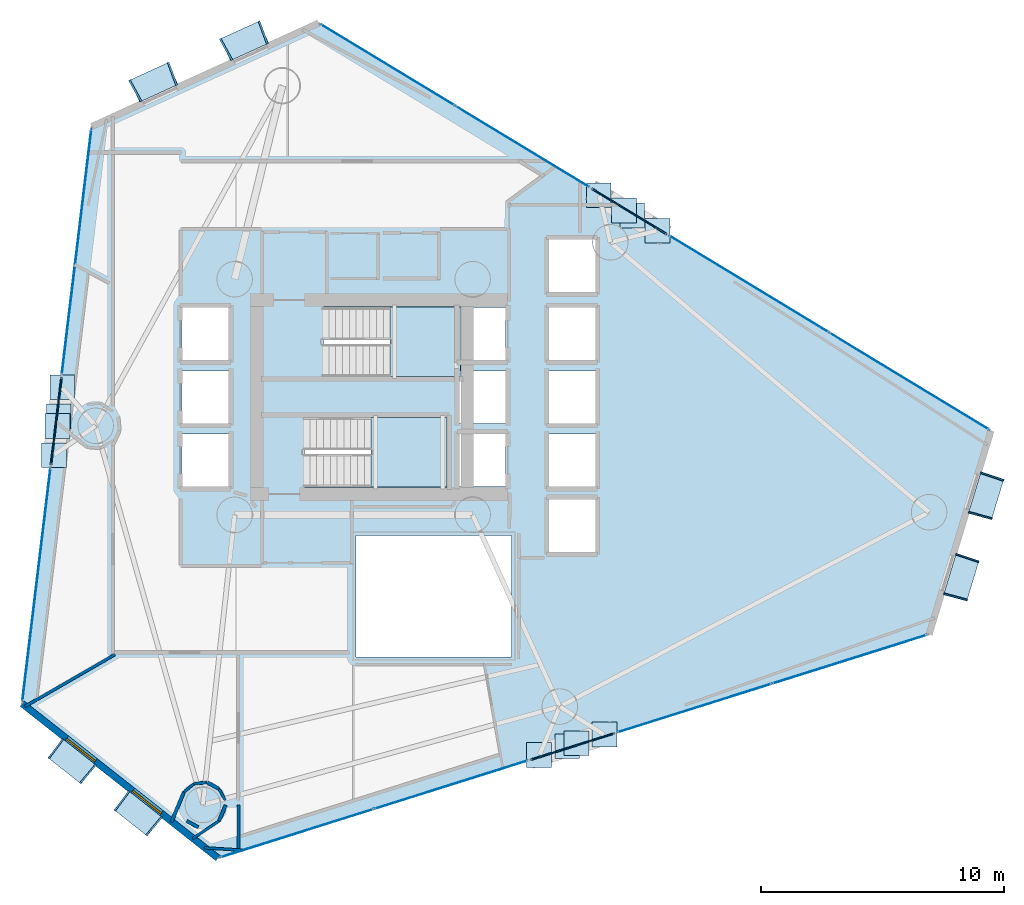
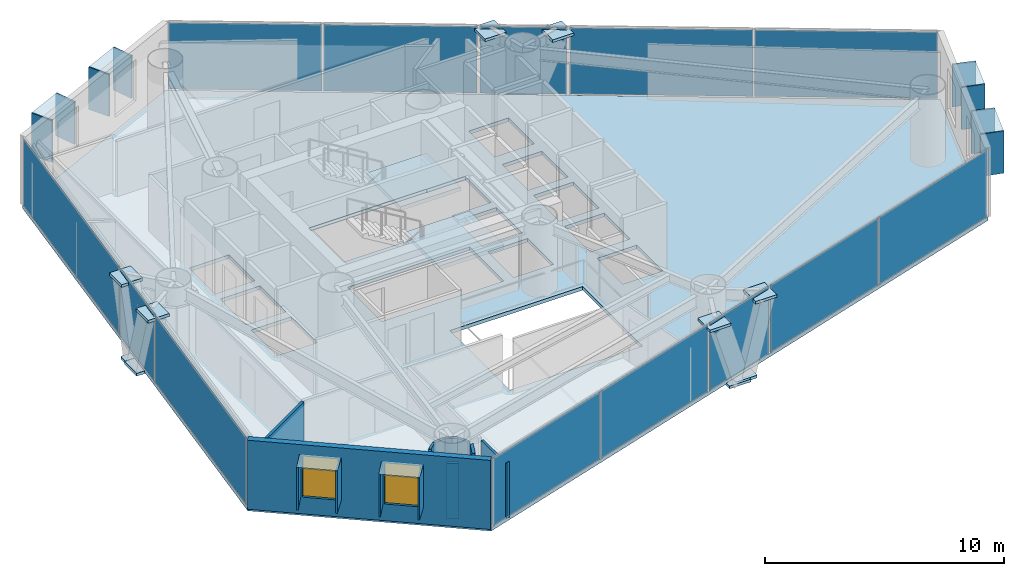
# One storey, part 13 of 18: 43 plates, 12 walls, 3 slabs, 2 windows, 2 openings, 11 elements without a shape of their own.
"""IFC4 building model written with IfcOpenShell, lengths in metres."""

from ifc_helpers import new_model, si_unit, direction, frame, frame_2d, origin, origin_2d, place, context, subcontext, project, spatial, polyline, rectangle, outline, extrude, material, layer, layer_set, type_object, element, fill, aggregate, save


model = new_model("IFC4")

# Units and contexts
model_context = context("Model", 3, precision=1e-05, world=origin(), true_north=direction((0.0, 1.0)))
body_context = subcontext(model_context, "Body", "Model", "MODEL_VIEW")
ifc_project = project(units=[si_unit("LENGTHUNIT", "METRE"), si_unit("AREAUNIT", "SQUARE_METRE"), si_unit("VOLUMEUNIT", "CUBIC_METRE"), si_unit("PLANEANGLEUNIT", "RADIAN"), si_unit("MASSUNIT", "GRAM", prefix="KILO")], contexts=[model_context])

# Site, building, storey
site_placement = place(None, origin())
site = spatial("IfcSite", under=ifc_project, at=site_placement, CompositionType="ELEMENT")
building_placement = place(site_placement, origin())
building = spatial("IfcBuilding", under=site, at=building_placement, Name="Qianvela Tower", CompositionType="ELEMENT")
storey_placement = place(building_placement, frame((0.0, 0.0, 116.300048828125)))
storey = spatial("IfcBuildingStorey", under=building, at=storey_placement, Name="L29", CompositionType="ELEMENT", Elevation=116.300048828125)

# Curtain wall, plate
ifc_material_1 = material(Name="Anodised Architectural Aluminium and Insulated Spandrel Panel", Category="aluminium")
ifc_layer_1 = layer(ifc_material_1, 0.179931640625)
ifc_layer_set_1 = layer_set([ifc_layer_1], Name="Anodised Architectural Aluminium and Insulated Spandrel Panel")
curtain_wall_type_1 = type_object("IfcCurtainWallType", Name="CW-BRACEBAY", PredefinedType="USERDEFINED", material=ifc_layer_set_1)
curtain_wall_1_placement = place(storey_placement, origin())
curtain_wall_1 = element("IfcCurtainWall", 1, at=curtain_wall_1_placement, inside=storey, type_object=curtain_wall_type_1, Name="L29 CW-BRACEBAY Curtain Wall 02B", ObjectType="CURTAIN_WALL_SYSTEM", PredefinedType="USERDEFINED")
ifc_material_2 = material(Name="Insulated Aluminium Spandrel Panel with Mineral-Wool Backpan", Category="aluminium")
ifc_layer_2 = layer(ifc_material_2, 0.06005859375)
ifc_layer_set_2 = layer_set([ifc_layer_2], Name="Insulated Aluminium Spandrel Panel with Mineral-Wool Backpan")
plate_type_1 = type_object("IfcPlateType", Name="CW-BRACEBAY-PNL", PredefinedType="CURTAIN_PANEL", material=ifc_layer_set_2)
plate_1_placement = place(storey_placement, frame((44.84716796875, 36.34375, 0.06494140625), z_axis=(0.0, 0.0, 1.0), x_axis=(-0.855059902217, 0.518529231212, 0.0)))
plate_1 = element("IfcPlate", 2, at=plate_1_placement, type_object=plate_type_1, Name="CW-9 panel 1.1", PredefinedType="CURTAIN_PANEL", context=body_context, shape_type="SweptSolid", body=[
    extrude(rectangle(XDim=3.6201171875, YDim=0.06005859375, at=origin_2d()), origin(), (0.0, 0.0, 1.0), 3.389892578125),
])
aggregate(curtain_wall_1, [plate_1])

curtain_wall_2_placement = place(storey_placement, origin())
curtain_wall_2 = element("IfcCurtainWall", 3, at=curtain_wall_2_placement, inside=storey, type_object=curtain_wall_type_1, Name="L29 CW-BRACEBAY Curtain Wall 04B", ObjectType="CURTAIN_WALL_SYSTEM", PredefinedType="USERDEFINED")
plate_2_placement = place(storey_placement, frame((21.254150390625, 27.710205078125, 0.06494140625), z_axis=(0.0, 0.0, 1.0), x_axis=(-0.119786625614, -0.992799659712, 0.0)))
plate_2 = element("IfcPlate", 4, at=plate_2_placement, type_object=plate_type_1, Name="CW-9 panel 1.1", PredefinedType="CURTAIN_PANEL", context=body_context, shape_type="SweptSolid", body=[
    extrude(rectangle(XDim=3.6201171875, YDim=0.06005859375, at=origin_2d()), origin(), (0.0, 0.0, 1.0), 3.389892578125),
])
aggregate(curtain_wall_2, [plate_2])

curtain_wall_3_placement = place(storey_placement, origin())
curtain_wall_3 = element("IfcCurtainWall", 5, at=curtain_wall_3_placement, inside=storey, type_object=curtain_wall_type_1, Name="L29 CW-BRACEBAY Curtain Wall 06B", ObjectType="CURTAIN_WALL_SYSTEM", PredefinedType="USERDEFINED")
plate_3_placement = place(storey_placement, frame((42.502685546875, 14.308349609375, 0.06494140625), z_axis=(0.0, 0.0, 1.0), x_axis=(0.95386155599, 0.300246785169, 0.0)))
plate_3 = element("IfcPlate", 6, at=plate_3_placement, type_object=plate_type_1, Name="CW-9 panel 1.1", PredefinedType="CURTAIN_PANEL", context=body_context, shape_type="SweptSolid", body=[
    extrude(rectangle(XDim=3.619873046875, YDim=0.06005859375, at=origin_2d()), origin(), (0.0, 0.0, 1.0), 3.389892578125),
])
aggregate(curtain_wall_3, [plate_3])

# Curtain wall, plates
ifc_material_3 = material(Name="Anodised Architectural Aluminium and Low-E Glass", Category="aluminium")
ifc_layer_3 = layer(ifc_material_3, 0.169921875)
ifc_layer_set_3 = layer_set([ifc_layer_3], Name="Anodised Architectural Aluminium and Low-E Glass")
curtain_wall_type_2 = type_object("IfcCurtainWallType", Name="CW-COLIV-Z34", PredefinedType="USERDEFINED", material=ifc_layer_set_3)
curtain_wall_4_placement = place(storey_placement, origin())
curtain_wall_4 = element("IfcCurtainWall", 7, at=curtain_wall_4_placement, inside=storey, type_object=curtain_wall_type_2, Name="L29 CW-COLIV-Z34 Curtain Wall 02A", ObjectType="CURTAIN_WALL_SYSTEM", PredefinedType="USERDEFINED")
ifc_material_4 = material(Name="Double-Silver Low-E Insulated Glass", Category="glass")
ifc_layer_4 = layer(ifc_material_4, 0.028076171875)
ifc_layer_set_4 = layer_set([ifc_layer_4], Name="Double-Silver Low-E Insulated Glass")
plate_type_2 = type_object("IfcPlateType", Name="CW-COLIV-Z34-PNL", PredefinedType="CURTAIN_PANEL", material=ifc_layer_set_4)
plate_4_placement = place(storey_placement, frame((56.370361328125, 29.35595703125, 0.06494140625), z_axis=(0.0, 0.0, 1.0), x_axis=(-0.855063657636, 0.518523038437, 0.0)))
plate_4 = element("IfcPlate", 8, at=plate_4_placement, type_object=plate_type_2, Name="CW-4 panel 1.1", PredefinedType="CURTAIN_PANEL", context=body_context, shape_type="SweptSolid", body=[
    extrude(rectangle(XDim=7.6474609375, YDim=0.028076171875, at=origin_2d()), origin(), (0.0, 0.0, 1.0), 3.389892578125),
])
plate_5_placement = place(storey_placement, frame((49.775634765625, 33.35498046875, 0.06494140625), z_axis=(0.0, 0.0, 1.0), x_axis=(-0.855063657636, 0.518523038437, 0.0)))
plate_5 = element("IfcPlate", 9, at=plate_5_placement, type_object=plate_type_2, Name="CW-4 panel 2.1", PredefinedType="CURTAIN_PANEL", context=body_context, shape_type="SweptSolid", body=[
    extrude(rectangle(XDim=7.6474609375, YDim=0.028076171875, at=origin_2d()), origin(), (0.0, 0.0, 1.0), 3.389892578125),
])
aggregate(curtain_wall_4, [plate_4, plate_5])

curtain_wall_5_placement = place(storey_placement, origin())
curtain_wall_5 = element("IfcCurtainWall", 10, at=curtain_wall_5_placement, inside=storey, type_object=curtain_wall_type_2, Name="L29 CW-COLIV-Z34 Curtain Wall 02C", ObjectType="CURTAIN_WALL_SYSTEM", PredefinedType="USERDEFINED")
plate_6_placement = place(storey_placement, frame((40.4453125, 39.01318359375, 0.06494140625), z_axis=(0.0, 0.0, 1.0), x_axis=(-0.855064798957, 0.518521156351, 0.0)))
plate_6 = element("IfcPlate", 11, at=plate_6_placement, type_object=plate_type_2, Name="CW-4 panel 1.1", PredefinedType="CURTAIN_PANEL", context=body_context, shape_type="SweptSolid", body=[
    extrude(rectangle(XDim=6.416259765625, YDim=0.028076171875, at=origin_2d()), origin(), (0.0, 0.0, 1.0), 3.389892578125),
])
plate_7_placement = place(storey_placement, frame((34.9033203125, 42.373779296875, 0.06494140625), z_axis=(0.0, 0.0, 1.0), x_axis=(-0.855064798957, 0.518521156351, 0.0)))
plate_7 = element("IfcPlate", 12, at=plate_7_placement, type_object=plate_type_2, Name="CW-4 panel 2.1", PredefinedType="CURTAIN_PANEL", context=body_context, shape_type="SweptSolid", body=[
    extrude(rectangle(XDim=6.416259765625, YDim=0.028076171875, at=origin_2d()), origin(), (0.0, 0.0, 1.0), 3.389892578125),
])
aggregate(curtain_wall_5, [plate_6, plate_7])

# Curtain wall, plate
curtain_wall_6_placement = place(storey_placement, origin())
curtain_wall_6 = element("IfcCurtainWall", 13, at=curtain_wall_6_placement, inside=storey, type_object=curtain_wall_type_2, Name="L29 CW-COLIV-Z34 Curtain Wall 04A", ObjectType="CURTAIN_WALL_SYSTEM", PredefinedType="USERDEFINED")
plate_8_placement = place(storey_placement, frame((22.09521484375, 34.6796875, 0.06494140625), z_axis=(0.0, 0.0, 1.0), x_axis=(-0.119786304516, -0.992799698454, 0.0)))
plate_8 = element("IfcPlate", 14, at=plate_8_placement, type_object=plate_type_2, Name="CW-4 panel 1.1", PredefinedType="CURTAIN_PANEL", context=body_context, shape_type="SweptSolid", body=[
    extrude(rectangle(XDim=10.159912109375, YDim=0.028076171875, at=origin_2d()), origin(), (0.0, 0.0, 1.0), 3.389892578125),
])
aggregate(curtain_wall_6, [plate_8])

curtain_wall_7_placement = place(storey_placement, origin())
curtain_wall_7 = element("IfcCurtainWall", 15, at=curtain_wall_7_placement, inside=storey, type_object=curtain_wall_type_2, Name="L29 CW-COLIV-Z34 Curtain Wall 04C", ObjectType="CURTAIN_WALL_SYSTEM", PredefinedType="USERDEFINED")
plate_9_placement = place(storey_placement, frame((20.443115234375, 20.987060546875, 0.06494140625), z_axis=(0.0, 0.0, 1.0), x_axis=(-0.119792223509, -0.99279898428, 0.0)))
plate_9 = element("IfcPlate", 16, at=plate_9_placement, type_object=plate_type_2, Name="CW-4 panel 1.1", PredefinedType="CURTAIN_PANEL", context=body_context, shape_type="SweptSolid", body=[
    extrude(rectangle(XDim=9.66357421875, YDim=0.028076171875, at=origin_2d()), origin(), (0.0, 0.0, 1.0), 3.389892578125),
])
aggregate(curtain_wall_7, [plate_9])

# Curtain wall, plates
curtain_wall_8_placement = place(storey_placement, origin())
curtain_wall_8 = element("IfcCurtainWall", 17, at=curtain_wall_8_placement, inside=storey, type_object=curtain_wall_type_2, Name="L29 CW-COLIV-Z34 Curtain Wall 06A", ObjectType="CURTAIN_WALL_SYSTEM", PredefinedType="USERDEFINED")
plate_10_placement = place(storey_placement, frame((31.1650390625, 10.739501953125, 0.06494140625), z_axis=(0.0, 0.0, 1.0), x_axis=(0.953857065878, 0.300261049546, 0.0)))
plate_10 = element("IfcPlate", 18, at=plate_10_placement, type_object=plate_type_2, Name="CW-4 panel 1.1", PredefinedType="CURTAIN_PANEL", context=body_context, shape_type="SweptSolid", body=[
    extrude(rectangle(XDim=6.58740234375, YDim=0.028076171875, at=origin_2d()), origin(), (0.0, 0.0, 1.0), 3.389892578125),
])
plate_11_placement = place(storey_placement, frame((37.510498046875, 12.73681640625, 0.06494140625), z_axis=(0.0, 0.0, 1.0), x_axis=(0.953857065878, 0.300261049546, 0.0)))
plate_11 = element("IfcPlate", 19, at=plate_11_placement, type_object=plate_type_2, Name="CW-4 panel 2.1", PredefinedType="CURTAIN_PANEL", context=body_context, shape_type="SweptSolid", body=[
    extrude(rectangle(XDim=6.58740234375, YDim=0.028076171875, at=origin_2d()), origin(), (0.0, 0.0, 1.0), 3.389892578125),
])
aggregate(curtain_wall_8, [plate_10, plate_11])

curtain_wall_9_placement = place(storey_placement, origin())
curtain_wall_9 = element("IfcCurtainWall", 20, at=curtain_wall_9_placement, inside=storey, type_object=curtain_wall_type_2, Name="L29 CW-COLIV-Z34 Curtain Wall 06C", ObjectType="CURTAIN_WALL_SYSTEM", PredefinedType="USERDEFINED")
plate_12_placement = place(storey_placement, frame((47.519775390625, 15.8876953125, 0.06494140625), z_axis=(0.0, 0.0, 1.0), x_axis=(0.953856966255, 0.300261366024, 0.0)))
plate_12 = element("IfcPlate", 21, at=plate_12_placement, type_object=plate_type_2, Name="CW-4 panel 1.1", PredefinedType="CURTAIN_PANEL", context=body_context, shape_type="SweptSolid", body=[
    extrude(rectangle(XDim=6.639404296875, YDim=0.028076171875, at=origin_2d()), origin(), (0.0, 0.0, 1.0), 3.389892578125),
])
plate_13_placement = place(storey_placement, frame((53.914794921875, 17.900634765625, 0.06494140625), z_axis=(0.0, 0.0, 1.0), x_axis=(0.953856966255, 0.300261366024, 0.0)))
plate_13 = element("IfcPlate", 22, at=plate_13_placement, type_object=plate_type_2, Name="CW-4 panel 2.1", PredefinedType="CURTAIN_PANEL", context=body_context, shape_type="SweptSolid", body=[
    extrude(rectangle(XDim=6.639404296875, YDim=0.028076171875, at=origin_2d()), origin(), (0.0, 0.0, 1.0), 3.389892578125),
])
aggregate(curtain_wall_9, [plate_12, plate_13])

# Plates
ifc_material_5 = material(Name="Steel Q420GJC", Category="steel")
ifc_layer_5 = layer(ifc_material_5, 0.139892578125)
ifc_layer_set_5 = layer_set([ifc_layer_5], Name="Steel Q420GJC")
plate_type_3 = type_object("IfcPlateType", Name="PT-GUSSET-NODE-140", PredefinedType="USERDEFINED", material=ifc_layer_set_5)
for number, where, z_axis, x_axis, name in (
    (23, (44.972900390625, 36.174072265625, -0.271484375), (0.0, 0.0, 1.0), (1.0, 0.0, 0.0), "L29 Node Gusset Plate A"),
    (24, (46.010498046875, 35.544677734375, 3.20947265625), (0.0, 0.0, 1.0), (1.0, 0.0, 0.0), "L29 Node Gusset Plate B"),
    (25, (44.633056640625, 36.3798828125, -0.271484375), (0.0, 0.0, 1.0), (1.0, 0.0, 0.0), "L29 Node Gusset Plate A"),
    (26, (43.59521484375, 37.009521484375, 3.20947265625), (0.0, 0.0, 1.0), (1.0, 0.0, 0.0), "L29 Node Gusset Plate B"),
    (27, (21.357666015625, 27.8994140625, -0.271484375), (0.0, 0.0, 1.0), (1.0, 0.0, 0.0), "L29 Node Gusset Plate A"),
    (28, (21.5029296875, 29.1044921875, 3.20947265625), (0.0, 0.0, 1.0), (1.0, 0.0, 0.0), "L29 Node Gusset Plate B"),
    (29, (21.31005859375, 27.505126953125, -0.271484375), (0.0, 0.0, 1.0), (1.0, 0.0, 0.0), "L29 Node Gusset Plate A"),
    (30, (21.16455078125, 26.30029296875, 3.20947265625), (0.0, 0.0, 1.0), (1.0, 0.0, 0.0), "L29 Node Gusset Plate B"),
    (31, (42.293212890625, 14.326171875, -0.271484375), (0.0, 0.0, 1.0), (1.0, 0.0, 0.0), "L29 Node Gusset Plate A"),
    (32, (41.135498046875, 13.9619140625, 3.20947265625), (0.0, 0.0, 1.0), (1.0, 0.0, 0.0), "L29 Node Gusset Plate B"),
    (33, (42.672119140625, 14.445556640625, -0.271484375), (0.0, 0.0, 1.0), (1.0, 0.0, 0.0), "L29 Node Gusset Plate A"),
    (34, (43.82958984375, 14.809814453125, 3.20947265625), (0.0, 0.0, 1.0), (1.0, 0.0, 0.0), "L29 Node Gusset Plate B"),
):
    element("IfcPlate", number, at=place(storey_placement, frame(where, z_axis=z_axis, x_axis=x_axis)), inside=storey, type_object=plate_type_3, Name=name, ObjectType="GUSSET_PLATE", PredefinedType="USERDEFINED", context=body_context, shape_type="SweptSolid", body=[
        extrude(rectangle(XDim=1.02001953125, YDim=1.02001953125, at=origin_2d()), origin(), (0.0, 0.0, 1.0), 0.139892578125),
    ])

# Slab
ifc_material_6 = material(Name="Concrete C40", Category="concrete")
ifc_layer_6 = layer(ifc_material_6, 0.179931640625)
ifc_layer_set_6 = layer_set([ifc_layer_6], Name="Concrete C40")
slab_type_1 = type_object("IfcSlabType", Name="SL-FLOOR-180", PredefinedType="FLOOR", material=ifc_layer_set_6)
slab_1_placement = place(storey_placement, frame((0.0, 0.0, -0.179931640625)))
element("IfcSlab", 35, at=slab_1_placement, inside=storey, type_object=slab_type_1, Name="L29 Composite Structural Floor Slab", PredefinedType="FLOOR", context=body_context, shape_type="SweptSolid", body=[
    extrude(outline(polyline([(57.191162109375, 18.931884765625), (59.73828125, 27.313720703125), (32.06201171875, 44.096923828125), (22.71728515625, 39.837158203125), (19.850341796875, 16.075927734375), (27.91357421875, 9.7158203125), (57.191162109375, 18.931884765625)]), holes=[polyline([(40.0, 23.0), (33.60009765625, 23.0), (33.60009765625, 18.0), (40.0, 18.0), (40.0, 23.0)]), polyline([(28.360107421875, 25.02001953125), (28.360107421875, 27.179931640625), (26.43994140625, 27.179931640625), (26.43994140625, 25.02001953125), (28.360107421875, 25.02001953125)]), polyline([(37.35009765625, 25.0), (37.35009765625, 27.860107421875), (31.469970703125, 27.860107421875), (31.469970703125, 25.0), (37.35009765625, 25.0)]), polyline([(28.360107421875, 27.6201171875), (28.360107421875, 29.780029296875), (26.43994140625, 29.780029296875), (26.43994140625, 27.6201171875), (28.360107421875, 27.6201171875)]), polyline([(37.89990234375, 32.3798828125), (37.89990234375, 32.39990234375), (32.25, 32.39990234375), (32.25, 29.5400390625), (37.840087890625, 29.5400390625), (37.840087890625, 27.6201171875), (39.760009765625, 27.6201171875), (39.760009765625, 29.780029296875), (37.89990234375, 29.780029296875), (37.89990234375, 30.219970703125), (39.760009765625, 30.219970703125), (39.760009765625, 32.3798828125), (37.89990234375, 32.3798828125)]), polyline([(28.360107421875, 30.219970703125), (28.360107421875, 32.3798828125), (26.43994140625, 32.3798828125), (26.43994140625, 30.219970703125), (28.360107421875, 30.219970703125)]), polyline([(43.4599609375, 24.47998046875), (41.5400390625, 24.47998046875), (41.5400390625, 22.320068359375), (43.4599609375, 22.320068359375), (43.4599609375, 24.47998046875)]), polyline([(39.760009765625, 25.02001953125), (39.760009765625, 27.179931640625), (37.840087890625, 27.179931640625), (37.840087890625, 25.02001953125), (39.760009765625, 25.02001953125)]), polyline([(43.4599609375, 25.02001953125), (43.4599609375, 27.179931640625), (41.5400390625, 27.179931640625), (41.5400390625, 25.02001953125), (43.4599609375, 25.02001953125)]), polyline([(43.4599609375, 27.6201171875), (43.4599609375, 29.780029296875), (41.5400390625, 29.780029296875), (41.5400390625, 27.6201171875), (43.4599609375, 27.6201171875)]), polyline([(43.4599609375, 30.219970703125), (43.4599609375, 32.3798828125), (41.5400390625, 32.3798828125), (41.5400390625, 30.219970703125), (43.4599609375, 30.219970703125)]), polyline([(43.4599609375, 33.02001953125), (43.4599609375, 35.179931640625), (41.5400390625, 35.179931640625), (41.5400390625, 33.02001953125), (43.4599609375, 33.02001953125)])]), origin(), (0.0, 0.0, 1.0), 0.179931640625),
])

# Stair, slab
ifc_material_7 = material(Name="Concrete C40", Category="concrete")
stair_type = type_object("IfcStairType", Name="ST-DOGLEG-1350-R168-N22", PredefinedType="HALF_TURN_STAIR", material=ifc_material_7)
stair_1_placement = place(storey_placement, origin())
stair_1 = element("IfcStair", 36, at=stair_1_placement, inside=storey, type_object=stair_type, Name="L29 Smoke-Proof Core Stair ST-1", PredefinedType="HALF_TURN_STAIR")
ifc_material_8 = material(Name="Concrete C40", Category="concrete")
ifc_layer_7 = layer(ifc_material_8, 0.199951171875)
ifc_layer_set_7 = layer_set([ifc_layer_7], Name="Concrete C40")
slab_type_2 = type_object("IfcSlabType", Name="SL-STAIR-LANDING-200", PredefinedType="LANDING", material=ifc_layer_set_7)
slab_2_placement = place(storey_placement, frame((0.0, 0.0, 1.64990234375)))
slab_2 = element("IfcSlab", 37, at=slab_2_placement, type_object=slab_type_2, Name="ST-1 landing 1", PredefinedType="LANDING", context=body_context, shape_type="SweptSolid", body=[
    extrude(outline(polyline([(35.0, 29.5400390625), (37.89990234375, 29.5400390625), (37.89990234375, 32.39990234375), (35.0, 32.39990234375), (35.0, 29.5400390625)])), origin(), (0.0, 0.0, 1.0), 0.199951171875),
])
aggregate(stair_1, [slab_2])

stair_2_placement = place(storey_placement, origin())
stair_2 = element("IfcStair", 38, at=stair_2_placement, inside=storey, type_object=stair_type, Name="L29 Smoke-Proof Core Stair ST-2", PredefinedType="HALF_TURN_STAIR")
slab_3_placement = place(storey_placement, frame((0.0, 0.0, 1.64990234375)))
slab_3 = element("IfcSlab", 39, at=slab_3_placement, type_object=slab_type_2, Name="ST-2 landing 1", PredefinedType="LANDING", context=body_context, shape_type="SweptSolid", body=[
    extrude(outline(polyline([(34.219970703125, 25.0), (37.35009765625, 25.0), (37.35009765625, 27.860107421875), (34.219970703125, 27.860107421875), (34.219970703125, 25.0)])), origin(), (0.0, 0.0, 1.0), 0.199951171875),
])
aggregate(stair_2, [slab_3])

# Plates
ifc_material_9 = material(Name="Vitrified Architectural Terracotta Panel", Category="masonry")
ifc_layer_8 = layer(ifc_material_9, 0.06494140625)
ifc_layer_set_8 = layer_set([ifc_layer_8], Name="Vitrified Architectural Terracotta Panel")
plate_type_4 = type_object("IfcPlateType", Name="TERRACOTTA-SUNSHADE-HOOD-FOLD-B", PredefinedType="USERDEFINED", material=ifc_layer_set_8)
for number, where, z_axis, x_axis, name in (
    (40, (58.5244140625, 21.2734375, 2.9599609375), (0.0, 0.0, 1.0), (0.290758971547, 0.956796331758, 0.0), "L29 Terracotta Sunshade Hood FOLD-B"),
    (41, (59.54345703125, 24.626220703125, 2.9599609375), (0.0, 0.0, 1.0), (0.290758971547, 0.956796331758, 0.0), "L29 Terracotta Sunshade Hood FOLD-B"),
    (42, (21.90087890625, 13.70068359375, 2.9599609375), (0.0, 0.0, 1.0), (0.785142935711, -0.61931459736, 0.0), "L29 Terracotta Sunshade Hood FOLD-B"),
    (43, (24.62353515625, 11.552978515625, 2.9599609375), (0.0, 0.0, 1.0), (0.785142935711, -0.61931459736, 0.0), "L29 Terracotta Sunshade Hood FOLD-B"),
):
    element("IfcPlate", number, at=place(storey_placement, frame(where, z_axis=z_axis, x_axis=x_axis)), inside=storey, type_object=plate_type_4, Name=name, ObjectType="SUNSHADE", PredefinedType="USERDEFINED", context=body_context, shape_type="SweptSolid", body=[
        extrude(rectangle(XDim=1.739990234375, YDim=0.989990234375, at=origin_2d()), origin(), (0.0, 0.0, 1.0), 0.06005859375),
    ])
ifc_material_10 = material(Name="Vitrified Architectural Terracotta Panel", Category="masonry")
ifc_layer_9 = layer(ifc_material_10, 0.074951171875)
ifc_layer_set_9 = layer_set([ifc_layer_9], Name="Vitrified Architectural Terracotta Panel")
plate_type_5 = type_object("IfcPlateType", Name="TERRACOTTA-SUNSHADE-HOOD-FOLD-D", PredefinedType="USERDEFINED", material=ifc_layer_set_9)
for number, where, z_axis, x_axis, name in (
    (44, (29.01171875, 43.3603515625, 2.9599609375), (0.0, 0.0, 1.0), (-0.909918563254, -0.414786943197, 0.0), "L29 Terracotta Sunshade Hood FOLD-D"),
    (45, (25.27392578125, 41.656494140625, 2.9599609375), (0.0, 0.0, 1.0), (-0.909918563254, -0.414786943197, 0.0), "L29 Terracotta Sunshade Hood FOLD-D"),
):
    element("IfcPlate", number, at=place(storey_placement, frame(where, z_axis=z_axis, x_axis=x_axis)), inside=storey, type_object=plate_type_5, Name=name, ObjectType="SUNSHADE", PredefinedType="USERDEFINED", context=body_context, shape_type="SweptSolid", body=[
        extrude(rectangle(XDim=1.739990234375, YDim=0.989990234375, at=origin_2d()), origin(), (0.0, 0.0, 1.0), 0.06005859375),
    ])
ifc_material_11 = material(Name="Vitrified Architectural Terracotta Side Fin Panel", Category="masonry")
ifc_layer_10 = layer(ifc_material_11, 0.070068359375)
ifc_layer_set_10 = layer_set([ifc_layer_10], Name="Vitrified Architectural Terracotta Side Fin Panel")
plate_type_6 = type_object("IfcPlateType", Name="TERRACOTTA-SUNSHADE-STRUT-FOLD-B", PredefinedType="USERDEFINED", material=ifc_layer_set_10)
for number, where, z_axis, x_axis, name in (
    (46, (58.2802734375, 20.4697265625, 0.85009765625), (0.0, 0.0, 1.0), (0.261404221482, 0.965229419874, 0.0), "L29 Terracotta Sunshade Side Fin HL FOLD-B"),
    (47, (58.768798828125, 22.0771484375, 0.85009765625), (0.0, 0.0, 1.0), (0.319842496315, 0.947470726488, 0.0), "L29 Terracotta Sunshade Side Fin HR FOLD-B"),
    (48, (59.299072265625, 23.822509765625, 0.85009765625), (0.0, 0.0, 1.0), (0.261404221482, 0.965229419874, 0.0), "L29 Terracotta Sunshade Side Fin HL FOLD-B"),
    (49, (59.78759765625, 25.429931640625, 0.85009765625), (0.0, 0.0, 1.0), (0.319842496315, 0.947470726488, 0.0), "L29 Terracotta Sunshade Side Fin HR FOLD-B"),
    (50, (21.2412109375, 14.220947265625, 0.85009765625), (0.0, 0.0, 1.0), (0.803689684864, -0.595048645443, 0.0), "L29 Terracotta Sunshade Side Fin HL FOLD-B"),
    (51, (22.560302734375, 13.1806640625, 0.85009765625), (0.0, 0.0, 1.0), (0.765863790839, -0.64300284127, 0.0), "L29 Terracotta Sunshade Side Fin HR FOLD-B"),
    (52, (23.964111328125, 12.073486328125, 0.85009765625), (0.0, 0.0, 1.0), (0.803689684864, -0.595048645443, 0.0), "L29 Terracotta Sunshade Side Fin HL FOLD-B"),
    (53, (25.283203125, 11.032958984375, 0.85009765625), (0.0, 0.0, 1.0), (0.765863790839, -0.64300284127, 0.0), "L29 Terracotta Sunshade Side Fin HR FOLD-B"),
):
    element("IfcPlate", number, at=place(storey_placement, frame(where, z_axis=z_axis, x_axis=x_axis)), inside=storey, type_object=plate_type_6, Name=name, ObjectType="SUNSHADE", PredefinedType="USERDEFINED", context=body_context, shape_type="SweptSolid", body=[
        extrude(rectangle(XDim=0.070068359375, YDim=1.010009765625, at=origin_2d()), origin(), (0.0, 0.0, 1.0), 2.159912109375),
    ])
ifc_material_12 = material(Name="Vitrified Architectural Terracotta Side Fin Panel", Category="masonry")
ifc_layer_11 = layer(ifc_material_12, 0.080078125)
ifc_layer_set_11 = layer_set([ifc_layer_11], Name="Vitrified Architectural Terracotta Side Fin Panel")
plate_type_7 = type_object("IfcPlateType", Name="TERRACOTTA-SUNSHADE-STRUT-FOLD-D", PredefinedType="USERDEFINED", material=ifc_layer_set_11)
for number, where, z_axis, x_axis, name in (
    (54, (29.776123046875, 43.708740234375, 0.85009765625), (0.0, 0.0, 1.0), (-0.938155689743, -0.346213664956, 0.0), "L29 Terracotta Sunshade Side Fin HL FOLD-D"),
    (55, (28.247314453125, 43.011962890625, 0.85009765625), (0.0, 0.0, 1.0), (-0.876677221517, -0.481079046803, 0.0), "L29 Terracotta Sunshade Side Fin HR FOLD-D"),
    (56, (26.038330078125, 42.0048828125, 0.85009765625), (0.0, 0.0, 1.0), (-0.938155689743, -0.346213664956, 0.0), "L29 Terracotta Sunshade Side Fin HL FOLD-D"),
    (57, (24.509521484375, 41.30810546875, 0.85009765625), (0.0, 0.0, 1.0), (-0.876677221517, -0.481079046803, 0.0), "L29 Terracotta Sunshade Side Fin HR FOLD-D"),
):
    element("IfcPlate", number, at=place(storey_placement, frame(where, z_axis=z_axis, x_axis=x_axis)), inside=storey, type_object=plate_type_7, Name=name, ObjectType="SUNSHADE", PredefinedType="USERDEFINED", context=body_context, shape_type="SweptSolid", body=[
        extrude(rectangle(XDim=0.080078125, YDim=1.010009765625, at=origin_2d()), origin(), (0.0, 0.0, 1.0), 2.159912109375),
    ])

# Wall, openings, windows
ifc_material_13 = material(Name="Terracotta Cladding on Concrete C40", Category="masonry")
ifc_layer_12 = layer(ifc_material_13, 0.280029296875)
ifc_layer_set_12 = layer_set([ifc_layer_12], Name="Terracotta Cladding on Concrete C40")
wall_type_1 = type_object("IfcWallType", Name="TERRACOTTA-WALL-280", PredefinedType="SOLIDWALL", material=ifc_layer_set_12)
wall_1_placement = place(storey_placement, frame((19.850341796875, 16.075927734375, 0.0), z_axis=(0.0, 0.0, 1.0), x_axis=(0.785148009035, -0.619308165543, 0.0)))
wall_1 = element("IfcWall", 58, at=wall_1_placement, inside=storey, type_object=wall_type_1, Name="L29 Terracotta Chamfer Facet Wall 5", PredefinedType="SOLIDWALL", context=body_context, shape_type="SweptSolid", body=[
    extrude(rectangle(XDim=10.269775390625, YDim=0.280029296875, at=frame_2d((5.134765625, 0.0))), origin(), (0.0, 0.0, 1.0), 3.52001953125),
])
opening_1_placement = place(wall_1_placement, frame((2.330810546875, 0.0, 0.85009765625)))
opening_1 = element("IfcOpeningElement", 59, at=opening_1_placement, cuts=wall_1, Name="Opening W-02", PredefinedType="OPENING", context=body_context, shape_type="SweptSolid", body=[
    extrude(rectangle(XDim=1.5, YDim=2.10009765625, at=frame_2d((0.75, 1.050048828125))), frame((0.0, 0.14990234375, 0.0), z_axis=(0.0, -1.0, 0.0), x_axis=(1.0, 0.0, 0.0)), (0.0, 0.0, 1.0), 0.300048828125),
])
opening_2_placement = place(wall_1_placement, frame((5.798583984375, 0.0, 0.85009765625)))
opening_2 = element("IfcOpeningElement", 60, at=opening_2_placement, cuts=wall_1, Name="Opening W-02", PredefinedType="OPENING", context=body_context, shape_type="SweptSolid", body=[
    extrude(rectangle(XDim=1.5, YDim=2.10009765625, at=frame_2d((0.75, 1.050048828125))), frame((0.0, 0.14990234375, 0.0), z_axis=(0.0, -1.0, 0.0), x_axis=(1.0, 0.0, 0.0)), (0.0, 0.0, 1.0), 0.300048828125),
])
ifc_material_14 = material(Name="Thermally Broken Aluminium and Low-E Glass", Category="aluminium")
window_type = type_object("IfcWindowType", Name="WIN-TC-1500x2100", PartitioningType="DOUBLE_PANEL_VERTICAL", PredefinedType="WINDOW", material=ifc_material_14)
window_1_placement = place(opening_1_placement, origin())
window_1 = element("IfcWindow", 61, at=window_1_placement, inside=storey, type_object=window_type, Name="L29 Chamfer Facet Window 5.1", OverallHeight=2.10009765625, OverallWidth=1.5, PartitioningType="SINGLE_PANEL", PredefinedType="WINDOW", context=body_context, shape_type="SweptSolid", body=[
    extrude(rectangle(XDim=1.5, YDim=2.10009765625, at=frame_2d((0.75, 1.050048828125))), frame((0.0, 0.030029296875, 0.0), z_axis=(0.0, -1.0, 0.0), x_axis=(1.0, 0.0, 0.0)), (0.0, 0.0, 1.0), 0.06005859375),
])
fill(opening_1, window_1)
window_2_placement = place(opening_2_placement, origin())
window_2 = element("IfcWindow", 62, at=window_2_placement, inside=storey, type_object=window_type, Name="L29 Chamfer Facet Window 5.2", OverallHeight=2.10009765625, OverallWidth=1.5, PartitioningType="SINGLE_PANEL", PredefinedType="WINDOW", context=body_context, shape_type="SweptSolid", body=[
    extrude(rectangle(XDim=1.5, YDim=2.10009765625, at=frame_2d((0.75, 1.050048828125))), frame((0.0, 0.030029296875, 0.0), z_axis=(0.0, -1.0, 0.0), x_axis=(1.0, 0.0, 0.0)), (0.0, 0.0, 1.0), 0.06005859375),
])
fill(opening_2, window_2)

# Walls
ifc_material_15 = material(Name="Lightweight Gypsum Room Partition")
ifc_layer_13 = layer(ifc_material_15, 0.10498046875)
ifc_layer_set_13 = layer_set([ifc_layer_13], Name="Lightweight Gypsum Room Partition")
wall_type_2 = type_object("IfcWallType", Name="WT-PART-105", PredefinedType="PARTITIONING", material=ifc_layer_set_13)
wall_2_placement = place(storey_placement, frame((28.210693359375, 12.1044921875, 0.0), z_axis=(0.0, 0.0, 1.0), x_axis=(-0.472156867062, 0.881514544909, 0.0)))
element("IfcWall", 63, at=wall_2_placement, inside=storey, type_object=wall_type_2, Name="L29 Partition 68", PredefinedType="PARTITIONING", context=body_context, shape_type="SweptSolid", body=[
    extrude(rectangle(XDim=0.52490234375, YDim=0.10498046875, at=frame_2d((0.262451171875, 0.0))), origin(), (0.0, 0.0, 1.0), 2.83984375),
])
wall_3_placement = place(storey_placement, frame((26.924072265625, 12.773681640625, 0.0), z_axis=(0.0, 0.0, 1.0), x_axis=(-0.773009460249, -0.634394494275, 0.0)))
element("IfcWall", 64, at=wall_3_placement, inside=storey, type_object=wall_type_2, Name="L29 Partition 71", PredefinedType="PARTITIONING", context=body_context, shape_type="SweptSolid", body=[
    extrude(rectangle(XDim=0.5283203125, YDim=0.10498046875, at=frame_2d((0.26416015625, 0.0))), origin(), (0.0, 0.0, 1.0), 2.83984375),
])
wall_4_placement = place(storey_placement, frame((26.868896484375, 10.515380859375, 0.0), z_axis=(0.0, 0.0, 1.0), x_axis=(0.831386976724, 0.555693885997, 0.0)))
element("IfcWall", 65, at=wall_4_placement, inside=storey, type_object=wall_type_2, Name="L29 Partition 77", PredefinedType="PARTITIONING", context=body_context, shape_type="SweptSolid", body=[
    extrude(rectangle(XDim=1.303466796875, YDim=0.10498046875, at=frame_2d((0.65185546875, 0.0))), origin(), (0.0, 0.0, 1.0), 2.83984375),
])
wall_5_placement = place(storey_placement, frame((28.94970703125, 10.0419921875, 0.0), z_axis=(0.0, 0.0, 1.0), x_axis=(-0.998073234179, 0.062046911404, 0.0)))
element("IfcWall", 66, at=wall_5_placement, inside=storey, type_object=wall_type_2, Name="L29 Partition 80", PredefinedType="PARTITIONING", context=body_context, shape_type="SweptSolid", body=[
    extrude(rectangle(XDim=1.60546875, YDim=0.10498046875, at=frame_2d((0.802734375, 0.0))), origin(), (0.0, 0.0, 1.0), 2.83984375),
])
ifc_material_16 = material(Name="Insulated Gypsum Stud Partition")
ifc_layer_14 = layer(ifc_material_16, 0.1201171875)
ifc_layer_set_14 = layer_set([ifc_layer_14], Name="Insulated Gypsum Stud Partition")
wall_type_3 = type_object("IfcWallType", Name="WT-PART-120", PredefinedType="PARTITIONING", material=ifc_layer_set_14)
wall_6_placement = place(storey_placement, frame((23.665283203125, 18.0966796875, 0.0), z_axis=(0.0, 0.0, 1.0), x_axis=(-0.866050431771, -0.49995664775, 0.0)))
element("IfcWall", 67, at=wall_6_placement, inside=storey, type_object=wall_type_3, Name="L29 Partition 64", PredefinedType="PARTITIONING", context=body_context, shape_type="SweptSolid", body=[
    extrude(rectangle(XDim=4.271484375, YDim=0.1201171875, at=frame_2d((2.1357421875, 0.0))), origin(), (0.0, 0.0, 1.0), 2.83984375),
])
wall_7_placement = place(storey_placement, frame((27.466552734375, 12.83251953125, 0.0), z_axis=(0.0, 0.0, 1.0), x_axis=(-0.995146366598, -0.09840583848, 0.0)))
element("IfcWall", 68, at=wall_7_placement, inside=storey, type_object=wall_type_3, Name="L29 Partition 70", PredefinedType="PARTITIONING", context=body_context, shape_type="SweptSolid", body=[
    extrude(rectangle(XDim=0.528564453125, YDim=0.1201171875, at=frame_2d((0.26416015625, 0.0))), origin(), (0.0, 0.0, 1.0), 2.83984375),
])
wall_8_placement = place(storey_placement, frame((28.7548828125, 11.91162109375, 0.0), z_axis=(0.0, 0.0, 1.0), x_axis=(0.0, -1.0, 0.0)))
element("IfcWall", 69, at=wall_8_placement, inside=storey, type_object=wall_type_3, Name="L29 Partition 79", PredefinedType="PARTITIONING", context=body_context, shape_type="SweptSolid", body=[
    extrude(rectangle(XDim=1.950927734375, YDim=0.1201171875, at=frame_2d((0.9755859375, 0.0))), origin(), (0.0, 0.0, 1.0), 2.83984375),
])
ifc_material_17 = material(Name="Acoustic Double Gypsum Stud Partition")
ifc_layer_15 = layer(ifc_material_17, 0.139892578125)
ifc_layer_set_15 = layer_set([ifc_layer_15], Name="Acoustic Double Gypsum Stud Partition")
wall_type_4 = type_object("IfcWallType", Name="WT-ROOM-140", PredefinedType="PARTITIONING", material=ifc_layer_set_15)
wall_9_placement = place(storey_placement, frame((27.9501953125, 12.579833984375, 0.0), z_axis=(0.0, 0.0, 1.0), x_axis=(-0.881994580882, 0.471259545574, 0.0)))
element("IfcWall", 70, at=wall_9_placement, inside=storey, type_object=wall_type_4, Name="L29 Partition 69", PredefinedType="PARTITIONING", context=body_context, shape_type="SweptSolid", body=[
    extrude(rectangle(XDim=0.5283203125, YDim=0.139892578125, at=frame_2d((0.26416015625, 0.0))), origin(), (0.0, 0.0, 1.0), 2.83984375),
])
wall_10_placement = place(storey_placement, frame((26.506591796875, 12.426513671875, 0.0), z_axis=(0.0, 0.0, 1.0), x_axis=(-0.38275828623, -0.923848523473, 0.0)))
element("IfcWall", 71, at=wall_10_placement, inside=storey, type_object=wall_type_4, Name="L29 Partition 72", PredefinedType="PARTITIONING", context=body_context, shape_type="SweptSolid", body=[
    extrude(rectangle(XDim=1.326171875, YDim=0.139892578125, at=frame_2d((0.6630859375, 0.0))), origin(), (0.0, 0.0, 1.0), 2.83984375),
])
wall_11_placement = place(storey_placement, frame((26.6337890625, 11.23828125, 0.0), z_axis=(0.0, 0.0, 1.0), x_axis=(0.881802511994, -0.471618839574, 0.0)))
element("IfcWall", 72, at=wall_11_placement, inside=storey, type_object=wall_type_4, Name="L29 Partition 75", PredefinedType="PARTITIONING", context=body_context, shape_type="SweptSolid", body=[
    extrude(rectangle(XDim=0.528564453125, YDim=0.139892578125, at=frame_2d((0.26416015625, 0.0))), origin(), (0.0, 0.0, 1.0), 2.83984375),
])
wall_12_placement = place(storey_placement, frame((27.964111328125, 11.253662109375, 0.0), z_axis=(0.0, 0.0, 1.0), x_axis=(0.381929177829, 0.92419159438, 0.0)))
element("IfcWall", 73, at=wall_12_placement, inside=storey, type_object=wall_type_4, Name="L29 Partition 78", PredefinedType="PARTITIONING", context=body_context, shape_type="SweptSolid", body=[
    extrude(rectangle(XDim=0.697509765625, YDim=0.139892578125, at=frame_2d((0.3486328125, 0.0))), origin(), (0.0, 0.0, 1.0), 2.83984375),
])

save(model, "model.ifc")
